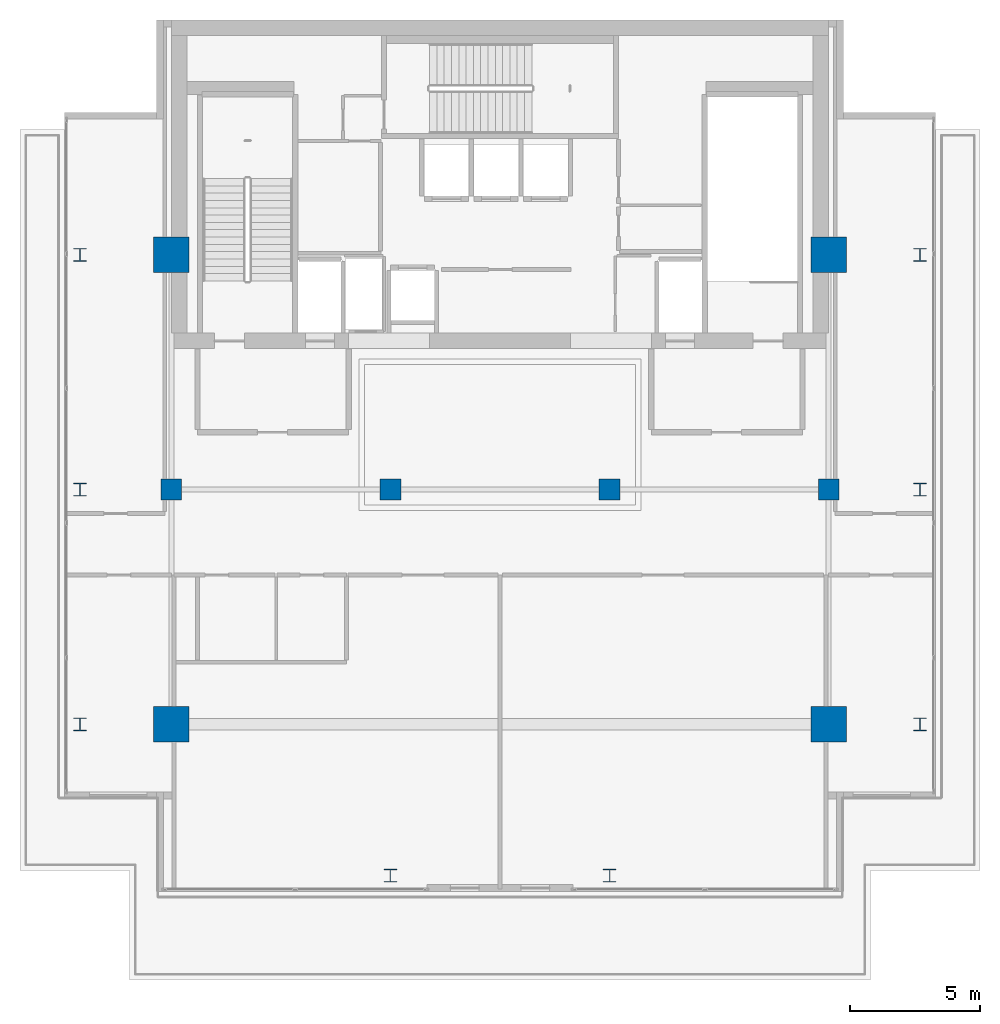
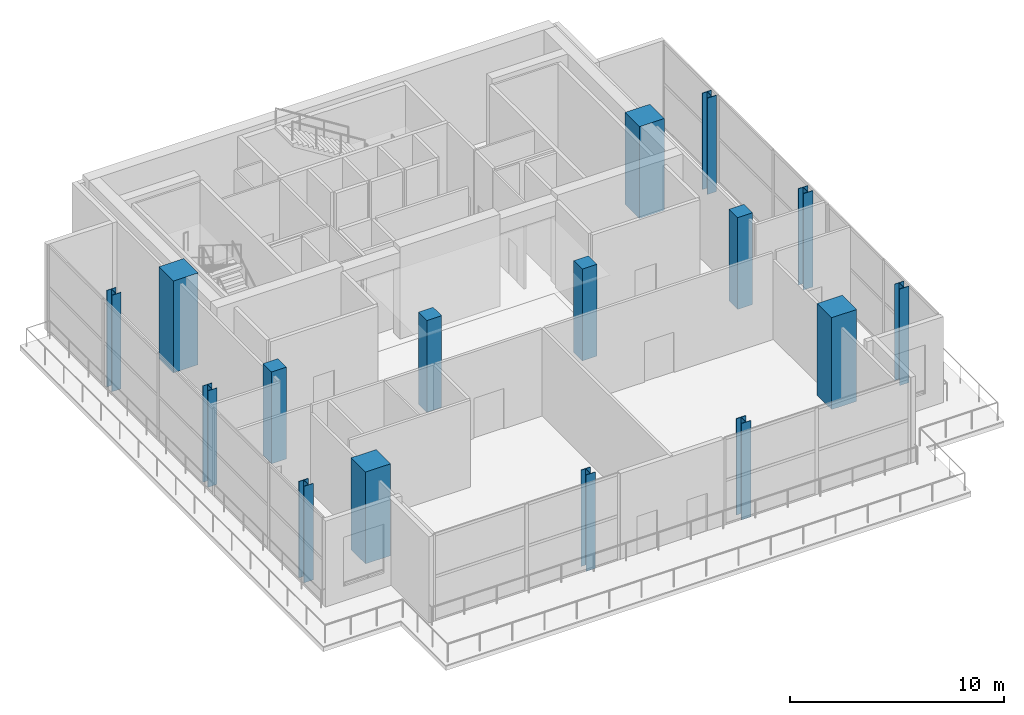
# One storey, part 1 of 19: 16 columns.
"""IFC4 building model written with IfcOpenShell, lengths in metres."""

from ifc_helpers import new_model, si_unit, direction, frame, origin, origin_2d, place, context, subcontext, project, spatial, rectangle, i_section, extrude, material, material_profile, profile_set, type_object, element, save


model = new_model("IFC4")

# Units and contexts
model_context = context("Model", 3, precision=1e-05, world=origin(), true_north=direction((0.0, 1.0)))
body_context = subcontext(model_context, "Body", "Model", "MODEL_VIEW")
ifc_project = project(units=[si_unit("LENGTHUNIT", "METRE"), si_unit("AREAUNIT", "SQUARE_METRE"), si_unit("VOLUMEUNIT", "CUBIC_METRE"), si_unit("PLANEANGLEUNIT", "RADIAN"), si_unit("MASSUNIT", "GRAM", prefix="KILO")], contexts=[model_context])

# Site, building, storey
site_placement = place(None, origin())
site = spatial("IfcSite", under=ifc_project, at=site_placement, CompositionType="ELEMENT")
building_placement = place(site_placement, origin())
building = spatial("IfcBuilding", under=site, at=building_placement, Name="Maruvema Waterfront Hotel and Observation Tower", CompositionType="ELEMENT")
storey_placement = place(building_placement, frame((0.0, 0.0, 359.10009765625)))
storey = spatial("IfcBuildingStorey", under=building, at=storey_placement, Name="L88", CompositionType="ELEMENT", Elevation=359.10009765625)

# Columns
ifc_material_1 = material(Name="Concrete C70/85", Category="concrete")
ifc_material_profile_1 = material_profile(ifc_material_1, rectangle(XDim=1.35009765625, YDim=1.35009765625, at=origin_2d()), Name="MC1350x1350")
ifc_profile_set_1 = profile_set([ifc_material_profile_1], Name="Concrete C70/85")
column_type_1 = type_object("IfcColumnType", Name="Continuous Mega-Column MC1350x1350", PredefinedType="COLUMN", material=ifc_profile_set_1)
for number, where, z_axis, x_axis, name in (
    (1, (25.199951171875, 27.0, 0.0), (0.0, 0.0, 1.0), (1.0, 0.0, 0.0), "L88 Continuous Mega-Column MC-01"),
    (2, (50.39990234375, 27.0, 0.0), (0.0, 0.0, 1.0), (1.0, 0.0, 0.0), "L88 Continuous Mega-Column MC-02"),
    (3, (25.199951171875, 45.0, 0.0), (0.0, 0.0, 1.0), (1.0, 0.0, 0.0), "L88 Continuous Mega-Column MC-03"),
    (4, (50.39990234375, 45.0, 0.0), (0.0, 0.0, 1.0), (1.0, 0.0, 0.0), "L88 Continuous Mega-Column MC-04"),
):
    element("IfcColumn", number, at=place(storey_placement, frame(where, z_axis=z_axis, x_axis=x_axis)), inside=storey, type_object=column_type_1, Name=name, PredefinedType="COLUMN", context=body_context, shape_type="SweptSolid", body=[
        extrude(rectangle(XDim=1.35009765625, YDim=1.35009765625, at=origin_2d()), origin(), (0.0, 0.0, 1.0), 5.25),
    ])
ifc_material_2 = material(Name="Concrete C60/75", Category="concrete")
ifc_material_profile_2 = material_profile(ifc_material_2, rectangle(XDim=0.800048828125, YDim=0.800048828125, at=origin_2d()), Name="RC800x800")
ifc_profile_set_2 = profile_set([ifc_material_profile_2], Name="Concrete C60/75")
column_type_2 = type_object("IfcColumnType", Name="Reinforced Concrete Column RC800x800", PredefinedType="COLUMN", material=ifc_profile_set_2)
for number, where, z_axis, x_axis, name in (
    (5, (25.199951171875, 36.0, 0.0), (0.0, 0.0, 1.0), (1.0, 0.0, 0.0), "L88 Column C-4E"),
    (6, (33.60009765625, 36.0, 0.0), (0.0, 0.0, 1.0), (1.0, 0.0, 0.0), "L88 Column C-5E"),
    (7, (42.0, 36.0, 0.0), (0.0, 0.0, 1.0), (1.0, 0.0, 0.0), "L88 Column C-6E"),
    (8, (50.39990234375, 36.0, 0.0), (0.0, 0.0, 1.0), (1.0, 0.0, 0.0), "L88 Column C-7E"),
):
    element("IfcColumn", number, at=place(storey_placement, frame(where, z_axis=z_axis, x_axis=x_axis)), inside=storey, type_object=column_type_2, Name=name, PredefinedType="COLUMN", context=body_context, shape_type="SweptSolid", body=[
        extrude(rectangle(XDim=0.800048828125, YDim=0.800048828125, at=origin_2d()), origin(), (0.0, 0.0, 1.0), 5.25),
    ])
ifc_material_3 = material(Name="Steel ABNT NBR 7007 AR 415 (ASTM A572 Grade 50)", Category="steel")
ifc_material_profile_3 = material_profile(ifc_material_3, i_section(OverallWidth=0.5, OverallDepth=0.5, WebThickness=0.02197265625, FlangeThickness=0.031982421875, at=origin_2d()), Name="CVS500x223")
ifc_profile_set_3 = profile_set([ifc_material_profile_3], Name="Steel ABNT NBR 7007 AR 415 (ASTM A572 Grade 50)")
column_type_3 = type_object("IfcColumnType", Name="Structural Steel Column CVS500x223", PredefinedType="COLUMN", material=ifc_profile_set_3)
for number, where, z_axis, x_axis, name in (
    (9, (21.699951171875, 27.0, -0.260009765625), (0.0, 0.0, 1.0), (1.0, 0.0, 0.0), "L88 Column C-CRW27"),
    (10, (53.89990234375, 27.0, -0.260009765625), (0.0, 0.0, 1.0), (1.0, 0.0, 0.0), "L88 Column C-CRE27"),
    (11, (21.699951171875, 36.0, -0.260009765625), (0.0, 0.0, 1.0), (1.0, 0.0, 0.0), "L88 Column C-CRW36"),
    (12, (53.89990234375, 36.0, -0.260009765625), (0.0, 0.0, 1.0), (1.0, 0.0, 0.0), "L88 Column C-CRE36"),
    (13, (21.699951171875, 45.0, -0.260009765625), (0.0, 0.0, 1.0), (1.0, 0.0, 0.0), "L88 Column C-CRW45"),
    (14, (53.89990234375, 45.0, -0.260009765625), (0.0, 0.0, 1.0), (1.0, 0.0, 0.0), "L88 Column C-CRE45"),
    (15, (33.60009765625, 21.199951171875, -0.260009765625), (0.0, 0.0, 1.0), (1.0, 0.0, 0.0), "L88 Column C-CRS5"),
    (16, (42.0, 21.199951171875, -0.260009765625), (0.0, 0.0, 1.0), (1.0, 0.0, 0.0), "L88 Column C-CRS6"),
):
    element("IfcColumn", number, at=place(storey_placement, frame(where, z_axis=z_axis, x_axis=x_axis)), inside=storey, type_object=column_type_3, Name=name, PredefinedType="COLUMN", context=body_context, shape_type="SweptSolid", body=[
        extrude(i_section(OverallWidth=0.5, OverallDepth=0.5, WebThickness=0.02197265625, FlangeThickness=0.031982421875, at=origin_2d()), origin(), (0.0, 0.0, 1.0), 5.510009765625),
    ])

save(model, "model.ifc")
